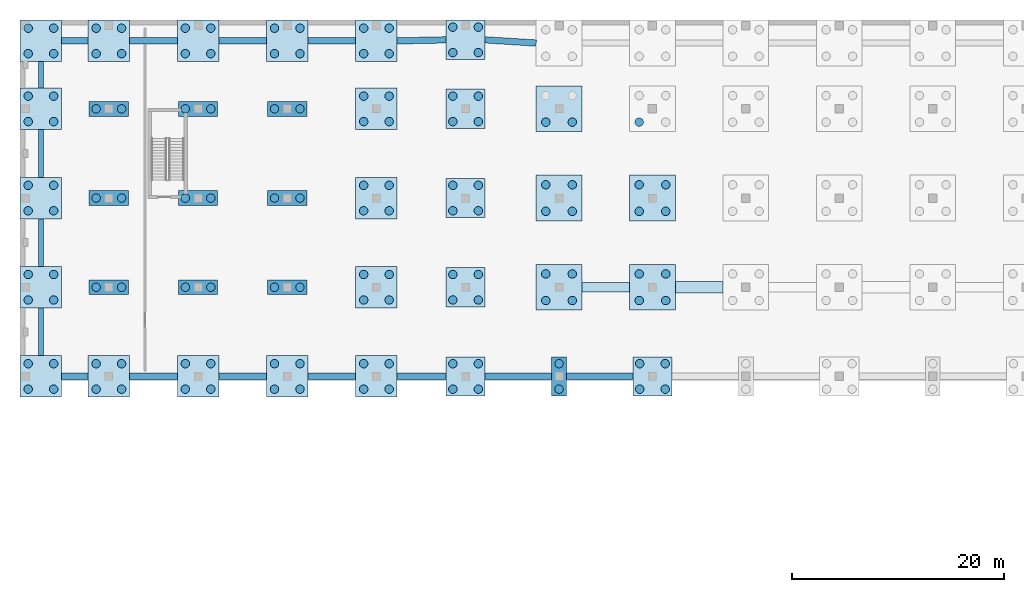
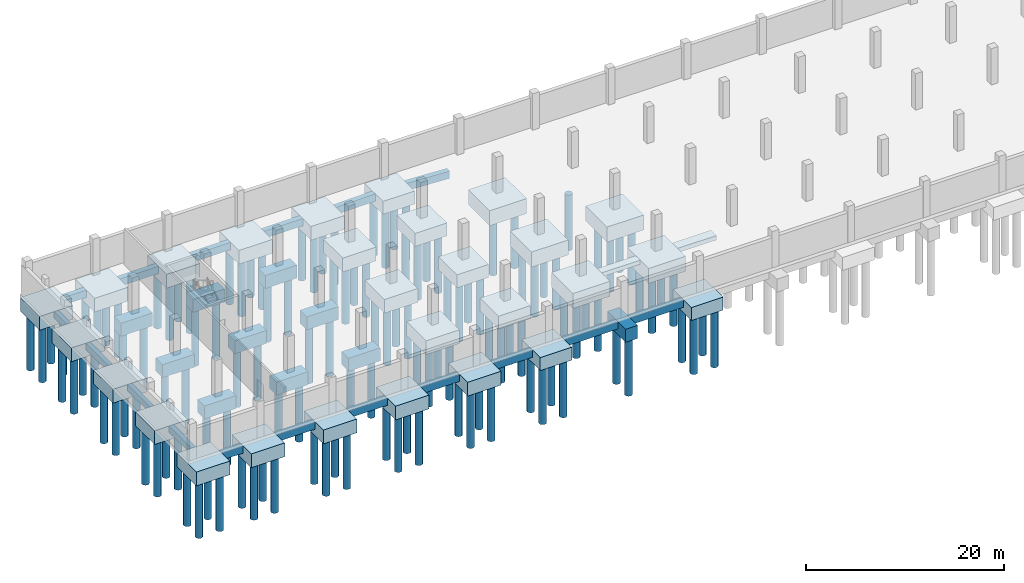
# One storey, part 1 of 18: 127 piles, 56 footings.
"""IFC4 building model written with IfcOpenShell, lengths in metres."""

from ifc_helpers import new_model, si_unit, direction, frame, origin, origin_2d, place, context, subcontext, project, spatial, rectangle, circle, extrude, material, material_profile, profile_set, type_object, element, save


model = new_model("IFC4")

# Units and contexts
model_context = context("Model", 3, precision=1e-05, world=origin(), true_north=direction((0.0, 1.0)))
body_context = subcontext(model_context, "Body", "Model", "MODEL_VIEW")
ifc_project = project(units=[si_unit("LENGTHUNIT", "METRE"), si_unit("AREAUNIT", "SQUARE_METRE"), si_unit("VOLUMEUNIT", "CUBIC_METRE"), si_unit("PLANEANGLEUNIT", "RADIAN"), si_unit("MASSUNIT", "GRAM", prefix="KILO")], contexts=[model_context])

# Site, building, storey
site_placement = place(None, origin())
site = spatial("IfcSite", under=ifc_project, at=site_placement, CompositionType="ELEMENT")
building_placement = place(site_placement, origin())
building = spatial("IfcBuilding", under=site, at=building_placement, Name="Brinegate Botanical Conservatory", CompositionType="ELEMENT")
storey_placement = place(building_placement, frame((0.0, 0.0, -9.60009765625)))
storey = spatial("IfcBuildingStorey", under=building, at=storey_placement, Name="B2", CompositionType="ELEMENT", Elevation=-9.60009765625)

# Footings
ifc_material = material(Name="Concrete C40/50", Category="concrete")
ifc_material_profile_1 = material_profile(ifc_material, rectangle(XDim=0.60009765625, YDim=0.89990234375, at=origin_2d()), Name="RC GB 600x900")
ifc_profile_set_1 = profile_set([ifc_material_profile_1], Name="Concrete C40/50")
footing_type_1 = type_object("IfcFootingType", Name="Footing_FB-01", PredefinedType="FOOTING_BEAM", material=ifc_profile_set_1)
footing_1_placement = place(storey_placement, frame((3.949951171875, 78.39990234375, -0.849853515625), z_axis=(1.0, 0.0, 0.0), x_axis=(0.0, 1.0, 0.0)))
element("IfcFooting", 1, at=footing_1_placement, inside=storey, type_object=footing_type_1, Name="Foundation tie beam K:1-2", PredefinedType="FOOTING_BEAM", context=body_context, shape_type="SweptSolid", body=[
    extrude(rectangle(XDim=0.60009765625, YDim=0.89990234375, at=origin_2d()), origin(), (0.0, 0.0, 1.0), 2.5),
])
for number, where, z_axis, x_axis, name in (
    (2, (10.35009765625, 78.39990234375, -0.849853515625), (1.0, 0.0, 0.0), (0.0, 1.0, 0.0), "Foundation tie beam K:2-3"),
    (3, (18.75, 78.39990234375, -0.849853515625), (1.0, 0.0, 0.0), (0.0, 1.0, 0.0), "Foundation tie beam K:3-4"),
    (4, (27.14990234375, 78.39990234375, -0.849853515625), (1.0, 0.0, 0.0), (0.0, 1.0, 0.0), "Foundation tie beam K:4-5"),
):
    element("IfcFooting", number, at=place(storey_placement, frame(where, z_axis=z_axis, x_axis=x_axis)), inside=storey, type_object=footing_type_1, Name=name, PredefinedType="FOOTING_BEAM", context=body_context, shape_type="SweptSolid", body=[
        extrude(rectangle(XDim=0.60009765625, YDim=0.89990234375, at=origin_2d()), origin(), (0.0, 0.0, 1.0), 4.5),
    ])
footing_2_placement = place(storey_placement, frame((35.550048828125, 78.39990234375, -0.849853515625), z_axis=(1.0, 0.0, 0.0), x_axis=(0.0, 1.0, 0.0)))
element("IfcFooting", 5, at=footing_2_placement, inside=storey, type_object=footing_type_1, Name="Foundation tie beam K:5-6", PredefinedType="FOOTING_BEAM", context=body_context, shape_type="SweptSolid", body=[
    extrude(rectangle(XDim=0.60009765625, YDim=0.89990234375, at=origin_2d()), origin(), (0.0, 0.0, 1.0), 4.599853515625),
])
for number, where, z_axis, x_axis, name in (
    (6, (43.85009765625, 78.39990234375, -0.849853515625), (1.0, 0.0, 0.0), (0.0, 1.0, 0.0), "Foundation tie beam K:6-7"),
    (7, (51.5, 78.39990234375, -0.849853515625), (1.0, 0.0, 0.0), (0.0, 1.0, 0.0), "Foundation tie beam K:7-8"),
):
    element("IfcFooting", number, at=place(storey_placement, frame(where, z_axis=z_axis, x_axis=x_axis)), inside=storey, type_object=footing_type_1, Name=name, PredefinedType="FOOTING_BEAM", context=body_context, shape_type="SweptSolid", body=[
        extrude(rectangle(XDim=0.60009765625, YDim=0.89990234375, at=origin_2d()), origin(), (0.0, 0.0, 1.0), 6.25),
    ])
footing_3_placement = place(storey_placement, frame((3.949951171875, 110.0, -0.849853515625), z_axis=(1.0, 0.0, 0.0), x_axis=(0.0, 1.0, 0.0)))
element("IfcFooting", 8, at=footing_3_placement, inside=storey, type_object=footing_type_1, Name="Foundation tie beam P:1-2", PredefinedType="FOOTING_BEAM", context=body_context, shape_type="SweptSolid", body=[
    extrude(rectangle(XDim=0.60009765625, YDim=0.89990234375, at=origin_2d()), origin(), (0.0, 0.0, 1.0), 2.5),
])
for number, where, z_axis, x_axis, name in (
    (9, (10.35009765625, 110.0, -0.849853515625), (1.0, 0.0, 0.0), (0.0, 1.0, 0.0), "Foundation tie beam P:2-3"),
    (10, (18.75, 110.0, -0.849853515625), (1.0, 0.0, 0.0), (0.0, 1.0, 0.0), "Foundation tie beam P:3-4"),
    (11, (27.14990234375, 110.0, -0.849853515625), (1.0, 0.0, 0.0), (0.0, 1.0, 0.0), "Foundation tie beam P:4-5"),
):
    element("IfcFooting", number, at=place(storey_placement, frame(where, z_axis=z_axis, x_axis=x_axis)), inside=storey, type_object=footing_type_1, Name=name, PredefinedType="FOOTING_BEAM", context=body_context, shape_type="SweptSolid", body=[
        extrude(rectangle(XDim=0.60009765625, YDim=0.89990234375, at=origin_2d()), origin(), (0.0, 0.0, 1.0), 4.5),
    ])
footing_4_placement = place(storey_placement, frame((35.550048828125, 110.0, -0.849853515625), z_axis=(0.999763312344, 0.02175590245, 0.0), x_axis=(-0.02175590245, 0.999763312344, 0.0)))
element("IfcFooting", 12, at=footing_4_placement, inside=storey, type_object=footing_type_1, Name="Foundation tie beam P:5-6", PredefinedType="FOOTING_BEAM", context=body_context, shape_type="SweptSolid", body=[
    extrude(rectangle(XDim=0.60009765625, YDim=0.89990234375, at=origin_2d()), origin(), (0.0, 0.0, 1.0), 4.600830078125),
])
footing_5_placement = place(storey_placement, frame((43.85009765625, 110.10009765625, -0.849853515625), z_axis=(0.998051788277, -0.062390928168, 0.0), x_axis=(0.062390928168, 0.998051788277, 0.0)))
element("IfcFooting", 13, at=footing_5_placement, inside=storey, type_object=footing_type_1, Name="Foundation tie beam P:6-7", PredefinedType="FOOTING_BEAM", context=body_context, shape_type="SweptSolid", body=[
    extrude(rectangle(XDim=0.60009765625, YDim=0.89990234375, at=origin_2d()), origin(), (0.0, 0.0, 1.0), 4.80908203125),
])
ifc_material_profile_2 = material_profile(ifc_material, rectangle(XDim=0.5, YDim=0.800048828125, at=origin_2d()), Name="RC GB 500x800")
ifc_profile_set_2 = profile_set([ifc_material_profile_2], Name="Concrete C40/50")
footing_type_2 = type_object("IfcFootingType", Name="Footing_FB-02", PredefinedType="FOOTING_BEAM", material=ifc_profile_set_2)
for number, where, z_axis, x_axis, name in (
    (14, (2.0, 80.35009765625, -0.7998046875), (0.0, 1.0, 0.0), (-1.0, 0.0, 0.0), "Foundation tie beam 1:K-L"),
    (15, (2.0, 88.75, -0.7998046875), (0.0, 1.0, 0.0), (-1.0, 0.0, 0.0), "Foundation tie beam 1:L-M"),
    (16, (2.0, 97.14990234375, -0.7998046875), (0.0, 1.0, 0.0), (-1.0, 0.0, 0.0), "Foundation tie beam 1:M-N"),
):
    element("IfcFooting", number, at=place(storey_placement, frame(where, z_axis=z_axis, x_axis=x_axis)), inside=storey, type_object=footing_type_2, Name=name, PredefinedType="FOOTING_BEAM", context=body_context, shape_type="SweptSolid", body=[
        extrude(rectangle(XDim=0.5, YDim=0.800048828125, at=origin_2d()), origin(), (0.0, 0.0, 1.0), 4.5),
    ])
footing_6_placement = place(storey_placement, frame((2.0, 105.550048828125, -0.7998046875), z_axis=(0.0, 1.0, 0.0), x_axis=(-1.0, 0.0, 0.0)))
element("IfcFooting", 17, at=footing_6_placement, inside=storey, type_object=footing_type_2, Name="Foundation tie beam 1:N-P", PredefinedType="FOOTING_BEAM", context=body_context, shape_type="SweptSolid", body=[
    extrude(rectangle(XDim=0.5, YDim=0.800048828125, at=origin_2d()), origin(), (0.0, 0.0, 1.0), 2.5),
])
footing_type_3 = type_object("IfcFootingType", Name="Footing_PC-01", PredefinedType="PILE_CAP", material=ifc_material)
for number, where, z_axis, x_axis, name in (
    (18, (8.39990234375, 86.800048828125, -2.0), (0.0, 0.0, 1.0), (1.0, 0.0, 0.0), "Pile cap PC-01 at L-2"),
    (19, (8.39990234375, 95.199951171875, -2.0), (0.0, 0.0, 1.0), (1.0, 0.0, 0.0), "Pile cap PC-01 at M-2"),
    (20, (8.39990234375, 103.60009765625, -2.0), (0.0, 0.0, 1.0), (1.0, 0.0, 0.0), "Pile cap PC-01 at N-2"),
    (21, (16.800048828125, 86.800048828125, -2.0), (0.0, 0.0, 1.0), (1.0, 0.0, 0.0), "Pile cap PC-01 at L-3"),
    (22, (16.800048828125, 95.199951171875, -2.0), (0.0, 0.0, 1.0), (1.0, 0.0, 0.0), "Pile cap PC-01 at M-3"),
    (23, (16.800048828125, 103.60009765625, -2.0), (0.0, 0.0, 1.0), (1.0, 0.0, 0.0), "Pile cap PC-01 at N-3"),
    (24, (25.199951171875, 86.800048828125, -2.0), (0.0, 0.0, 1.0), (1.0, 0.0, 0.0), "Pile cap PC-01 at L-4"),
    (25, (25.199951171875, 95.199951171875, -2.0), (0.0, 0.0, 1.0), (1.0, 0.0, 0.0), "Pile cap PC-01 at M-4"),
    (26, (25.199951171875, 103.60009765625, -2.0), (0.0, 0.0, 1.0), (1.0, 0.0, 0.0), "Pile cap PC-01 at N-4"),
):
    element("IfcFooting", number, at=place(storey_placement, frame(where, z_axis=z_axis, x_axis=x_axis)), inside=storey, type_object=footing_type_3, Name=name, PredefinedType="PILE_CAP", context=body_context, shape_type="SweptSolid", body=[
        extrude(rectangle(XDim=3.699951171875, YDim=1.39990234375, at=origin_2d()), origin(), (0.0, 0.0, 1.0), 1.60009765625),
    ])
footing_type_4 = type_object("IfcFootingType", Name="Footing_PC-02", PredefinedType="PILE_CAP", material=ifc_material)
footing_7_placement = place(storey_placement, frame((50.800048828125, 78.39990234375, -2.0), z_axis=(0.0, 0.0, 1.0), x_axis=(1.0, 0.0, 0.0)))
element("IfcFooting", 27, at=footing_7_placement, inside=storey, type_object=footing_type_4, Name="Pile cap PC-02 at K-7", PredefinedType="PILE_CAP", context=body_context, shape_type="SweptSolid", body=[
    extrude(rectangle(XDim=1.39990234375, YDim=3.699951171875, at=origin_2d()), origin(), (0.0, 0.0, 1.0), 1.60009765625),
])
footing_type_5 = type_object("IfcFootingType", Name="Footing_PC-03", PredefinedType="PILE_CAP", material=ifc_material)
for number, where, z_axis, x_axis, name in (
    (28, (42.0, 78.39990234375, -2.0), (0.0, 0.0, 1.0), (1.0, 0.0, 0.0), "Pile cap PC-03 at K-6"),
    (29, (42.0, 86.800048828125, -2.0), (0.0, 0.0, 1.0), (1.0, 0.0, 0.0), "Pile cap PC-03 at L-6"),
    (30, (42.0, 95.199951171875, -2.0), (0.0, 0.0, 1.0), (1.0, 0.0, 0.0), "Pile cap PC-03 at M-6"),
    (31, (42.0, 103.60009765625, -2.0), (0.0, 0.0, 1.0), (1.0, 0.0, 0.0), "Pile cap PC-03 at N-6"),
    (32, (42.0, 110.10009765625, -2.0), (0.0, 0.0, 1.0), (1.0, 0.0, 0.0), "Pile cap PC-03 at P-6"),
    (33, (59.60009765625, 78.39990234375, -2.0), (0.0, 0.0, 1.0), (1.0, 0.0, 0.0), "Pile cap PC-03 at K-8"),
):
    element("IfcFooting", number, at=place(storey_placement, frame(where, z_axis=z_axis, x_axis=x_axis)), inside=storey, type_object=footing_type_5, Name=name, PredefinedType="PILE_CAP", context=body_context, shape_type="SweptSolid", body=[
        extrude(rectangle(XDim=3.699951171875, YDim=3.699951171875, at=origin_2d()), origin(), (0.0, 0.0, 1.0), 1.60009765625),
    ])
footing_type_6 = type_object("IfcFootingType", Name="Footing_PC-04", PredefinedType="PILE_CAP", material=ifc_material)
for number, where, z_axis, x_axis, name in (
    (34, (2.0, 78.39990234375, -2.10009765625), (0.0, 0.0, 1.0), (1.0, 0.0, 0.0), "Pile cap PC-04 at K-1"),
    (35, (2.0, 86.800048828125, -2.10009765625), (0.0, 0.0, 1.0), (1.0, 0.0, 0.0), "Pile cap PC-04 at L-1"),
    (36, (2.0, 95.199951171875, -2.10009765625), (0.0, 0.0, 1.0), (1.0, 0.0, 0.0), "Pile cap PC-04 at M-1"),
    (37, (2.0, 103.60009765625, -2.10009765625), (0.0, 0.0, 1.0), (1.0, 0.0, 0.0), "Pile cap PC-04 at N-1"),
    (38, (2.0, 110.0, -2.10009765625), (0.0, 0.0, 1.0), (1.0, 0.0, 0.0), "Pile cap PC-04 at P-1"),
    (39, (8.39990234375, 78.39990234375, -2.10009765625), (0.0, 0.0, 1.0), (1.0, 0.0, 0.0), "Pile cap PC-04 at K-2"),
    (40, (8.39990234375, 110.0, -2.10009765625), (0.0, 0.0, 1.0), (1.0, 0.0, 0.0), "Pile cap PC-04 at P-2"),
    (41, (16.800048828125, 78.39990234375, -2.10009765625), (0.0, 0.0, 1.0), (1.0, 0.0, 0.0), "Pile cap PC-04 at K-3"),
    (42, (16.800048828125, 110.0, -2.10009765625), (0.0, 0.0, 1.0), (1.0, 0.0, 0.0), "Pile cap PC-04 at P-3"),
    (43, (25.199951171875, 78.39990234375, -2.10009765625), (0.0, 0.0, 1.0), (1.0, 0.0, 0.0), "Pile cap PC-04 at K-4"),
    (44, (25.199951171875, 110.0, -2.10009765625), (0.0, 0.0, 1.0), (1.0, 0.0, 0.0), "Pile cap PC-04 at P-4"),
    (45, (33.60009765625, 78.39990234375, -2.10009765625), (0.0, 0.0, 1.0), (1.0, 0.0, 0.0), "Pile cap PC-04 at K-5"),
    (46, (33.60009765625, 86.800048828125, -2.10009765625), (0.0, 0.0, 1.0), (1.0, 0.0, 0.0), "Pile cap PC-04 at L-5"),
    (47, (33.60009765625, 95.199951171875, -2.10009765625), (0.0, 0.0, 1.0), (1.0, 0.0, 0.0), "Pile cap PC-04 at M-5"),
    (48, (33.60009765625, 103.60009765625, -2.10009765625), (0.0, 0.0, 1.0), (1.0, 0.0, 0.0), "Pile cap PC-04 at N-5"),
    (49, (33.60009765625, 110.0, -2.10009765625), (0.0, 0.0, 1.0), (1.0, 0.0, 0.0), "Pile cap PC-04 at P-5"),
):
    element("IfcFooting", number, at=place(storey_placement, frame(where, z_axis=z_axis, x_axis=x_axis)), inside=storey, type_object=footing_type_6, Name=name, PredefinedType="PILE_CAP", context=body_context, shape_type="SweptSolid", body=[
        extrude(rectangle(XDim=3.89990234375, YDim=3.89990234375, at=origin_2d()), origin(), (0.0, 0.0, 1.0), 1.699951171875),
    ])
footing_type_7 = type_object("IfcFootingType", Name="Footing_PC-06", PredefinedType="PILE_CAP", material=ifc_material)
for number, where, z_axis, x_axis, name in (
    (50, (50.800048828125, 86.800048828125, -2.25), (0.0, 0.0, 1.0), (1.0, 0.0, 0.0), "Pile cap PC-06 at L-7"),
    (51, (50.800048828125, 95.199951171875, -2.25), (0.0, 0.0, 1.0), (1.0, 0.0, 0.0), "Pile cap PC-06 at M-7"),
    (52, (50.800048828125, 103.60009765625, -2.25), (0.0, 0.0, 1.0), (1.0, 0.0, 0.0), "Pile cap PC-06 at N-7"),
    (53, (59.60009765625, 86.800048828125, -2.25), (0.0, 0.0, 1.0), (1.0, 0.0, 0.0), "Pile cap PC-06 at L-8"),
    (54, (59.60009765625, 95.199951171875, -2.25), (0.0, 0.0, 1.0), (1.0, 0.0, 0.0), "Pile cap PC-06 at M-8"),
):
    element("IfcFooting", number, at=place(storey_placement, frame(where, z_axis=z_axis, x_axis=x_axis)), inside=storey, type_object=footing_type_7, Name=name, PredefinedType="PILE_CAP", context=body_context, shape_type="SweptSolid", body=[
        extrude(rectangle(XDim=4.300048828125, YDim=4.300048828125, at=origin_2d()), origin(), (0.0, 0.0, 1.0), 1.85009765625),
    ])
ifc_material_profile_3 = material_profile(ifc_material, rectangle(XDim=0.89990234375, YDim=0.5, at=origin_2d()), Name="RC SF 900x500")
ifc_profile_set_3 = profile_set([ifc_material_profile_3], Name="Concrete C40/50")
footing_type_8 = type_object("IfcFootingType", Name="Footing_SF-01", PredefinedType="STRIP_FOOTING", material=ifc_profile_set_3)
footing_8_placement = place(storey_placement, frame((52.949951171875, 86.800048828125, -0.64990234375), z_axis=(1.0, 0.0, 0.0), x_axis=(0.0, 1.0, 0.0)))
element("IfcFooting", 55, at=footing_8_placement, inside=storey, type_object=footing_type_8, Name="Courtyard plinth strip footing 7-8", PredefinedType="STRIP_FOOTING", context=body_context, shape_type="SweptSolid", body=[
    extrude(rectangle(XDim=0.89990234375, YDim=0.5, at=origin_2d()), origin(), (0.0, 0.0, 1.0), 4.5),
])
ifc_material_profile_4 = material_profile(ifc_material, rectangle(XDim=1.10009765625, YDim=0.550048828125, at=origin_2d()), Name="RC SF 1100x550")
ifc_profile_set_4 = profile_set([ifc_material_profile_4], Name="Concrete C40/50")
footing_type_9 = type_object("IfcFootingType", Name="Footing_SF-02", PredefinedType="STRIP_FOOTING", material=ifc_profile_set_4)
footing_9_placement = place(storey_placement, frame((61.75, 86.800048828125, -0.6748046875), z_axis=(1.0, 0.0, 0.0), x_axis=(0.0, 1.0, 0.0)))
element("IfcFooting", 56, at=footing_9_placement, inside=storey, type_object=footing_type_9, Name="Courtyard plinth strip footing 8-9", PredefinedType="STRIP_FOOTING", context=body_context, shape_type="SweptSolid", body=[
    extrude(rectangle(XDim=1.10009765625, YDim=0.550048828125, at=origin_2d()), origin(), (0.0, 0.0, 1.0), 4.5),
])

# Piles
ifc_material_profile_5 = material_profile(ifc_material, circle(Radius=0.39990234375, at=origin_2d()), Name="PILE D800")
ifc_profile_set_5 = profile_set([ifc_material_profile_5], Name="Concrete C40/50")
pile_type = type_object("IfcPileType", Name="Pile_PL-800", PredefinedType="BORED", material=ifc_profile_set_5)
for number, where, z_axis, x_axis, name in (
    (57, (0.800048828125, 77.199951171875, -2.0), (0.0, 0.0, -1.0), (1.0, 0.0, 0.0), "Bored pile K-1.1"),
    (58, (3.199951171875, 77.199951171875, -2.0), (0.0, 0.0, -1.0), (1.0, 0.0, 0.0), "Bored pile K-1.2"),
    (59, (0.800048828125, 79.60009765625, -2.0), (0.0, 0.0, -1.0), (1.0, 0.0, 0.0), "Bored pile K-1.3"),
    (60, (3.199951171875, 79.60009765625, -2.0), (0.0, 0.0, -1.0), (1.0, 0.0, 0.0), "Bored pile K-1.4"),
    (61, (0.800048828125, 85.60009765625, -2.0), (0.0, 0.0, -1.0), (1.0, 0.0, 0.0), "Bored pile L-1.1"),
    (62, (3.199951171875, 85.60009765625, -2.0), (0.0, 0.0, -1.0), (1.0, 0.0, 0.0), "Bored pile L-1.2"),
    (63, (0.800048828125, 88.0, -2.0), (0.0, 0.0, -1.0), (1.0, 0.0, 0.0), "Bored pile L-1.3"),
    (64, (3.199951171875, 88.0, -2.0), (0.0, 0.0, -1.0), (1.0, 0.0, 0.0), "Bored pile L-1.4"),
    (65, (0.800048828125, 94.0, -2.0), (0.0, 0.0, -1.0), (1.0, 0.0, 0.0), "Bored pile M-1.1"),
    (66, (3.199951171875, 94.0, -2.0), (0.0, 0.0, -1.0), (1.0, 0.0, 0.0), "Bored pile M-1.2"),
    (67, (0.800048828125, 96.39990234375, -2.0), (0.0, 0.0, -1.0), (1.0, 0.0, 0.0), "Bored pile M-1.3"),
    (68, (3.199951171875, 96.39990234375, -2.0), (0.0, 0.0, -1.0), (1.0, 0.0, 0.0), "Bored pile M-1.4"),
    (69, (0.800048828125, 102.39990234375, -2.0), (0.0, 0.0, -1.0), (1.0, 0.0, 0.0), "Bored pile N-1.1"),
    (70, (3.199951171875, 102.39990234375, -2.0), (0.0, 0.0, -1.0), (1.0, 0.0, 0.0), "Bored pile N-1.2"),
    (71, (0.800048828125, 104.800048828125, -2.0), (0.0, 0.0, -1.0), (1.0, 0.0, 0.0), "Bored pile N-1.3"),
    (72, (3.199951171875, 104.800048828125, -2.0), (0.0, 0.0, -1.0), (1.0, 0.0, 0.0), "Bored pile N-1.4"),
    (73, (0.800048828125, 108.800048828125, -2.0), (0.0, 0.0, -1.0), (1.0, 0.0, 0.0), "Bored pile P-1.1"),
    (74, (3.199951171875, 108.800048828125, -2.0), (0.0, 0.0, -1.0), (1.0, 0.0, 0.0), "Bored pile P-1.2"),
    (75, (0.800048828125, 111.199951171875, -2.0), (0.0, 0.0, -1.0), (1.0, 0.0, 0.0), "Bored pile P-1.3"),
    (76, (3.199951171875, 111.199951171875, -2.0), (0.0, 0.0, -1.0), (1.0, 0.0, 0.0), "Bored pile P-1.4"),
    (77, (7.199951171875, 77.199951171875, -2.0), (0.0, 0.0, -1.0), (1.0, 0.0, 0.0), "Bored pile K-2.1"),
    (78, (9.60009765625, 77.199951171875, -2.0), (0.0, 0.0, -1.0), (1.0, 0.0, 0.0), "Bored pile K-2.2"),
    (79, (7.199951171875, 79.60009765625, -2.0), (0.0, 0.0, -1.0), (1.0, 0.0, 0.0), "Bored pile K-2.3"),
    (80, (9.60009765625, 79.60009765625, -2.0), (0.0, 0.0, -1.0), (1.0, 0.0, 0.0), "Bored pile K-2.4"),
):
    element("IfcPile", number, at=place(storey_placement, frame(where, z_axis=z_axis, x_axis=x_axis)), inside=storey, type_object=pile_type, Name=name, PredefinedType="BORED", context=body_context, shape_type="SweptSolid", body=[
        extrude(circle(Radius=0.39990234375, at=origin_2d()), origin(), (0.0, 0.0, 1.0), 7.0),
    ])
for number, where, z_axis, x_axis, name in (
    (81, (7.199951171875, 86.800048828125, -1.89990234375), (0.0, 0.0, -1.0), (1.0, 0.0, 0.0), "Bored pile L-2.1"),
    (82, (9.60009765625, 86.800048828125, -1.89990234375), (0.0, 0.0, -1.0), (1.0, 0.0, 0.0), "Bored pile L-2.2"),
    (83, (7.199951171875, 95.199951171875, -1.89990234375), (0.0, 0.0, -1.0), (1.0, 0.0, 0.0), "Bored pile M-2.1"),
    (84, (9.60009765625, 95.199951171875, -1.89990234375), (0.0, 0.0, -1.0), (1.0, 0.0, 0.0), "Bored pile M-2.2"),
    (85, (7.199951171875, 103.60009765625, -1.89990234375), (0.0, 0.0, -1.0), (1.0, 0.0, 0.0), "Bored pile N-2.1"),
    (86, (9.60009765625, 103.60009765625, -1.89990234375), (0.0, 0.0, -1.0), (1.0, 0.0, 0.0), "Bored pile N-2.2"),
):
    element("IfcPile", number, at=place(storey_placement, frame(where, z_axis=z_axis, x_axis=x_axis)), inside=storey, type_object=pile_type, Name=name, PredefinedType="BORED", context=body_context, shape_type="SweptSolid", body=[
        extrude(circle(Radius=0.39990234375, at=origin_2d()), origin(), (0.0, 0.0, 1.0), 7.10009765625),
    ])
for number, where, z_axis, x_axis, name in (
    (87, (7.199951171875, 108.800048828125, -2.0), (0.0, 0.0, -1.0), (1.0, 0.0, 0.0), "Bored pile P-2.1"),
    (88, (9.60009765625, 108.800048828125, -2.0), (0.0, 0.0, -1.0), (1.0, 0.0, 0.0), "Bored pile P-2.2"),
    (89, (7.199951171875, 111.199951171875, -2.0), (0.0, 0.0, -1.0), (1.0, 0.0, 0.0), "Bored pile P-2.3"),
    (90, (9.60009765625, 111.199951171875, -2.0), (0.0, 0.0, -1.0), (1.0, 0.0, 0.0), "Bored pile P-2.4"),
    (91, (15.60009765625, 77.199951171875, -2.0), (0.0, 0.0, -1.0), (1.0, 0.0, 0.0), "Bored pile K-3.1"),
    (92, (18.0, 77.199951171875, -2.0), (0.0, 0.0, -1.0), (1.0, 0.0, 0.0), "Bored pile K-3.2"),
    (93, (15.60009765625, 79.60009765625, -2.0), (0.0, 0.0, -1.0), (1.0, 0.0, 0.0), "Bored pile K-3.3"),
    (94, (18.0, 79.60009765625, -2.0), (0.0, 0.0, -1.0), (1.0, 0.0, 0.0), "Bored pile K-3.4"),
):
    element("IfcPile", number, at=place(storey_placement, frame(where, z_axis=z_axis, x_axis=x_axis)), inside=storey, type_object=pile_type, Name=name, PredefinedType="BORED", context=body_context, shape_type="SweptSolid", body=[
        extrude(circle(Radius=0.39990234375, at=origin_2d()), origin(), (0.0, 0.0, 1.0), 7.0),
    ])
for number, where, z_axis, x_axis, name in (
    (95, (15.60009765625, 86.800048828125, -1.89990234375), (0.0, 0.0, -1.0), (1.0, 0.0, 0.0), "Bored pile L-3.1"),
    (96, (18.0, 86.800048828125, -1.89990234375), (0.0, 0.0, -1.0), (1.0, 0.0, 0.0), "Bored pile L-3.2"),
    (97, (15.60009765625, 95.199951171875, -1.89990234375), (0.0, 0.0, -1.0), (1.0, 0.0, 0.0), "Bored pile M-3.1"),
    (98, (18.0, 95.199951171875, -1.89990234375), (0.0, 0.0, -1.0), (1.0, 0.0, 0.0), "Bored pile M-3.2"),
    (99, (15.60009765625, 103.60009765625, -1.89990234375), (0.0, 0.0, -1.0), (1.0, 0.0, 0.0), "Bored pile N-3.1"),
    (100, (18.0, 103.60009765625, -1.89990234375), (0.0, 0.0, -1.0), (1.0, 0.0, 0.0), "Bored pile N-3.2"),
):
    element("IfcPile", number, at=place(storey_placement, frame(where, z_axis=z_axis, x_axis=x_axis)), inside=storey, type_object=pile_type, Name=name, PredefinedType="BORED", context=body_context, shape_type="SweptSolid", body=[
        extrude(circle(Radius=0.39990234375, at=origin_2d()), origin(), (0.0, 0.0, 1.0), 7.10009765625),
    ])
for number, where, z_axis, x_axis, name in (
    (101, (15.60009765625, 108.800048828125, -2.0), (0.0, 0.0, -1.0), (1.0, 0.0, 0.0), "Bored pile P-3.1"),
    (102, (18.0, 108.800048828125, -2.0), (0.0, 0.0, -1.0), (1.0, 0.0, 0.0), "Bored pile P-3.2"),
    (103, (15.60009765625, 111.199951171875, -2.0), (0.0, 0.0, -1.0), (1.0, 0.0, 0.0), "Bored pile P-3.3"),
    (104, (18.0, 111.199951171875, -2.0), (0.0, 0.0, -1.0), (1.0, 0.0, 0.0), "Bored pile P-3.4"),
    (105, (24.0, 77.199951171875, -2.0), (0.0, 0.0, -1.0), (1.0, 0.0, 0.0), "Bored pile K-4.1"),
    (106, (26.39990234375, 77.199951171875, -2.0), (0.0, 0.0, -1.0), (1.0, 0.0, 0.0), "Bored pile K-4.2"),
    (107, (24.0, 79.60009765625, -2.0), (0.0, 0.0, -1.0), (1.0, 0.0, 0.0), "Bored pile K-4.3"),
    (108, (26.39990234375, 79.60009765625, -2.0), (0.0, 0.0, -1.0), (1.0, 0.0, 0.0), "Bored pile K-4.4"),
):
    element("IfcPile", number, at=place(storey_placement, frame(where, z_axis=z_axis, x_axis=x_axis)), inside=storey, type_object=pile_type, Name=name, PredefinedType="BORED", context=body_context, shape_type="SweptSolid", body=[
        extrude(circle(Radius=0.39990234375, at=origin_2d()), origin(), (0.0, 0.0, 1.0), 7.0),
    ])
for number, where, z_axis, x_axis, name in (
    (109, (24.0, 86.800048828125, -1.89990234375), (0.0, 0.0, -1.0), (1.0, 0.0, 0.0), "Bored pile L-4.1"),
    (110, (26.39990234375, 86.800048828125, -1.89990234375), (0.0, 0.0, -1.0), (1.0, 0.0, 0.0), "Bored pile L-4.2"),
    (111, (24.0, 95.199951171875, -1.89990234375), (0.0, 0.0, -1.0), (1.0, 0.0, 0.0), "Bored pile M-4.1"),
    (112, (26.39990234375, 95.199951171875, -1.89990234375), (0.0, 0.0, -1.0), (1.0, 0.0, 0.0), "Bored pile M-4.2"),
    (113, (24.0, 103.60009765625, -1.89990234375), (0.0, 0.0, -1.0), (1.0, 0.0, 0.0), "Bored pile N-4.1"),
    (114, (26.39990234375, 103.60009765625, -1.89990234375), (0.0, 0.0, -1.0), (1.0, 0.0, 0.0), "Bored pile N-4.2"),
):
    element("IfcPile", number, at=place(storey_placement, frame(where, z_axis=z_axis, x_axis=x_axis)), inside=storey, type_object=pile_type, Name=name, PredefinedType="BORED", context=body_context, shape_type="SweptSolid", body=[
        extrude(circle(Radius=0.39990234375, at=origin_2d()), origin(), (0.0, 0.0, 1.0), 7.10009765625),
    ])
for number, where, z_axis, x_axis, name in (
    (115, (24.0, 108.800048828125, -2.0), (0.0, 0.0, -1.0), (1.0, 0.0, 0.0), "Bored pile P-4.1"),
    (116, (26.39990234375, 108.800048828125, -2.0), (0.0, 0.0, -1.0), (1.0, 0.0, 0.0), "Bored pile P-4.2"),
    (117, (24.0, 111.199951171875, -2.0), (0.0, 0.0, -1.0), (1.0, 0.0, 0.0), "Bored pile P-4.3"),
    (118, (26.39990234375, 111.199951171875, -2.0), (0.0, 0.0, -1.0), (1.0, 0.0, 0.0), "Bored pile P-4.4"),
    (119, (32.39990234375, 77.199951171875, -2.0), (0.0, 0.0, -1.0), (1.0, 0.0, 0.0), "Bored pile K-5.1"),
    (120, (34.800048828125, 77.199951171875, -2.0), (0.0, 0.0, -1.0), (1.0, 0.0, 0.0), "Bored pile K-5.2"),
    (121, (32.39990234375, 79.60009765625, -2.0), (0.0, 0.0, -1.0), (1.0, 0.0, 0.0), "Bored pile K-5.3"),
    (122, (34.800048828125, 79.60009765625, -2.0), (0.0, 0.0, -1.0), (1.0, 0.0, 0.0), "Bored pile K-5.4"),
    (123, (32.39990234375, 85.60009765625, -2.0), (0.0, 0.0, -1.0), (1.0, 0.0, 0.0), "Bored pile L-5.1"),
    (124, (34.800048828125, 85.60009765625, -2.0), (0.0, 0.0, -1.0), (1.0, 0.0, 0.0), "Bored pile L-5.2"),
    (125, (32.39990234375, 88.0, -2.0), (0.0, 0.0, -1.0), (1.0, 0.0, 0.0), "Bored pile L-5.3"),
    (126, (34.800048828125, 88.0, -2.0), (0.0, 0.0, -1.0), (1.0, 0.0, 0.0), "Bored pile L-5.4"),
    (127, (32.39990234375, 94.0, -2.0), (0.0, 0.0, -1.0), (1.0, 0.0, 0.0), "Bored pile M-5.1"),
    (128, (34.800048828125, 94.0, -2.0), (0.0, 0.0, -1.0), (1.0, 0.0, 0.0), "Bored pile M-5.2"),
    (129, (32.39990234375, 96.39990234375, -2.0), (0.0, 0.0, -1.0), (1.0, 0.0, 0.0), "Bored pile M-5.3"),
    (130, (34.800048828125, 96.39990234375, -2.0), (0.0, 0.0, -1.0), (1.0, 0.0, 0.0), "Bored pile M-5.4"),
    (131, (32.39990234375, 102.39990234375, -2.0), (0.0, 0.0, -1.0), (1.0, 0.0, 0.0), "Bored pile N-5.1"),
    (132, (34.800048828125, 102.39990234375, -2.0), (0.0, 0.0, -1.0), (1.0, 0.0, 0.0), "Bored pile N-5.2"),
    (133, (32.39990234375, 104.800048828125, -2.0), (0.0, 0.0, -1.0), (1.0, 0.0, 0.0), "Bored pile N-5.3"),
    (134, (34.800048828125, 104.800048828125, -2.0), (0.0, 0.0, -1.0), (1.0, 0.0, 0.0), "Bored pile N-5.4"),
    (135, (32.39990234375, 108.800048828125, -2.0), (0.0, 0.0, -1.0), (1.0, 0.0, 0.0), "Bored pile P-5.1"),
    (136, (34.800048828125, 108.800048828125, -2.0), (0.0, 0.0, -1.0), (1.0, 0.0, 0.0), "Bored pile P-5.2"),
    (137, (32.39990234375, 111.199951171875, -2.0), (0.0, 0.0, -1.0), (1.0, 0.0, 0.0), "Bored pile P-5.3"),
    (138, (34.800048828125, 111.199951171875, -2.0), (0.0, 0.0, -1.0), (1.0, 0.0, 0.0), "Bored pile P-5.4"),
):
    element("IfcPile", number, at=place(storey_placement, frame(where, z_axis=z_axis, x_axis=x_axis)), inside=storey, type_object=pile_type, Name=name, PredefinedType="BORED", context=body_context, shape_type="SweptSolid", body=[
        extrude(circle(Radius=0.39990234375, at=origin_2d()), origin(), (0.0, 0.0, 1.0), 7.0),
    ])
for number, where, z_axis, x_axis, name in (
    (139, (40.800048828125, 77.199951171875, -1.89990234375), (0.0, 0.0, -1.0), (1.0, 0.0, 0.0), "Bored pile K-6.1"),
    (140, (43.199951171875, 77.199951171875, -1.89990234375), (0.0, 0.0, -1.0), (1.0, 0.0, 0.0), "Bored pile K-6.2"),
    (141, (40.800048828125, 79.60009765625, -1.89990234375), (0.0, 0.0, -1.0), (1.0, 0.0, 0.0), "Bored pile K-6.3"),
    (142, (43.199951171875, 79.60009765625, -1.89990234375), (0.0, 0.0, -1.0), (1.0, 0.0, 0.0), "Bored pile K-6.4"),
    (143, (40.800048828125, 85.60009765625, -1.89990234375), (0.0, 0.0, -1.0), (1.0, 0.0, 0.0), "Bored pile L-6.1"),
    (144, (43.199951171875, 85.60009765625, -1.89990234375), (0.0, 0.0, -1.0), (1.0, 0.0, 0.0), "Bored pile L-6.2"),
    (145, (40.800048828125, 88.0, -1.89990234375), (0.0, 0.0, -1.0), (1.0, 0.0, 0.0), "Bored pile L-6.3"),
    (146, (43.199951171875, 88.0, -1.89990234375), (0.0, 0.0, -1.0), (1.0, 0.0, 0.0), "Bored pile L-6.4"),
    (147, (40.800048828125, 94.0, -1.89990234375), (0.0, 0.0, -1.0), (1.0, 0.0, 0.0), "Bored pile M-6.1"),
    (148, (43.199951171875, 94.0, -1.89990234375), (0.0, 0.0, -1.0), (1.0, 0.0, 0.0), "Bored pile M-6.2"),
    (149, (40.800048828125, 96.39990234375, -1.89990234375), (0.0, 0.0, -1.0), (1.0, 0.0, 0.0), "Bored pile M-6.3"),
    (150, (43.199951171875, 96.39990234375, -1.89990234375), (0.0, 0.0, -1.0), (1.0, 0.0, 0.0), "Bored pile M-6.4"),
    (151, (40.800048828125, 102.39990234375, -1.89990234375), (0.0, 0.0, -1.0), (1.0, 0.0, 0.0), "Bored pile N-6.1"),
    (152, (43.199951171875, 102.39990234375, -1.89990234375), (0.0, 0.0, -1.0), (1.0, 0.0, 0.0), "Bored pile N-6.2"),
    (153, (40.800048828125, 104.800048828125, -1.89990234375), (0.0, 0.0, -1.0), (1.0, 0.0, 0.0), "Bored pile N-6.3"),
    (154, (43.199951171875, 104.800048828125, -1.89990234375), (0.0, 0.0, -1.0), (1.0, 0.0, 0.0), "Bored pile N-6.4"),
    (155, (40.800048828125, 108.89990234375, -1.89990234375), (0.0, 0.0, -1.0), (1.0, 0.0, 0.0), "Bored pile P-6.1"),
    (156, (43.199951171875, 108.89990234375, -1.89990234375), (0.0, 0.0, -1.0), (1.0, 0.0, 0.0), "Bored pile P-6.2"),
    (157, (40.800048828125, 111.300048828125, -1.89990234375), (0.0, 0.0, -1.0), (1.0, 0.0, 0.0), "Bored pile P-6.3"),
    (158, (43.199951171875, 111.300048828125, -1.89990234375), (0.0, 0.0, -1.0), (1.0, 0.0, 0.0), "Bored pile P-6.4"),
    (159, (50.800048828125, 77.199951171875, -1.89990234375), (0.0, 0.0, -1.0), (1.0, 0.0, 0.0), "Bored pile K-7.1"),
    (160, (50.800048828125, 79.60009765625, -1.89990234375), (0.0, 0.0, -1.0), (1.0, 0.0, 0.0), "Bored pile K-7.2"),
):
    element("IfcPile", number, at=place(storey_placement, frame(where, z_axis=z_axis, x_axis=x_axis)), inside=storey, type_object=pile_type, Name=name, PredefinedType="BORED", context=body_context, shape_type="SweptSolid", body=[
        extrude(circle(Radius=0.39990234375, at=origin_2d()), origin(), (0.0, 0.0, 1.0), 7.10009765625),
    ])
for number, where, z_axis, x_axis, name in (
    (161, (49.550048828125, 85.550048828125, -2.14990234375), (0.0, 0.0, -1.0), (1.0, 0.0, 0.0), "Bored pile L-7.1"),
    (162, (52.050048828125, 85.550048828125, -2.14990234375), (0.0, 0.0, -1.0), (1.0, 0.0, 0.0), "Bored pile L-7.2"),
    (163, (49.550048828125, 88.050048828125, -2.14990234375), (0.0, 0.0, -1.0), (1.0, 0.0, 0.0), "Bored pile L-7.3"),
    (164, (52.050048828125, 88.050048828125, -2.14990234375), (0.0, 0.0, -1.0), (1.0, 0.0, 0.0), "Bored pile L-7.4"),
    (165, (49.550048828125, 93.949951171875, -2.14990234375), (0.0, 0.0, -1.0), (1.0, 0.0, 0.0), "Bored pile M-7.1"),
    (166, (52.050048828125, 93.949951171875, -2.14990234375), (0.0, 0.0, -1.0), (1.0, 0.0, 0.0), "Bored pile M-7.2"),
    (167, (49.550048828125, 96.449951171875, -2.14990234375), (0.0, 0.0, -1.0), (1.0, 0.0, 0.0), "Bored pile M-7.3"),
    (168, (52.050048828125, 96.449951171875, -2.14990234375), (0.0, 0.0, -1.0), (1.0, 0.0, 0.0), "Bored pile M-7.4"),
    (169, (49.550048828125, 102.35009765625, -2.14990234375), (0.0, 0.0, -1.0), (1.0, 0.0, 0.0), "Bored pile N-7.1"),
    (170, (52.050048828125, 102.35009765625, -2.14990234375), (0.0, 0.0, -1.0), (1.0, 0.0, 0.0), "Bored pile N-7.2"),
):
    element("IfcPile", number, at=place(storey_placement, frame(where, z_axis=z_axis, x_axis=x_axis)), inside=storey, type_object=pile_type, Name=name, PredefinedType="BORED", context=body_context, shape_type="SweptSolid", body=[
        extrude(circle(Radius=0.39990234375, at=origin_2d()), origin(), (0.0, 0.0, 1.0), 6.85009765625),
    ])
for number, where, z_axis, x_axis, name in (
    (171, (58.39990234375, 77.199951171875, -1.89990234375), (0.0, 0.0, -1.0), (1.0, 0.0, 0.0), "Bored pile K-8.1"),
    (172, (60.800048828125, 77.199951171875, -1.89990234375), (0.0, 0.0, -1.0), (1.0, 0.0, 0.0), "Bored pile K-8.2"),
    (173, (58.39990234375, 79.60009765625, -1.89990234375), (0.0, 0.0, -1.0), (1.0, 0.0, 0.0), "Bored pile K-8.3"),
    (174, (60.800048828125, 79.60009765625, -1.89990234375), (0.0, 0.0, -1.0), (1.0, 0.0, 0.0), "Bored pile K-8.4"),
):
    element("IfcPile", number, at=place(storey_placement, frame(where, z_axis=z_axis, x_axis=x_axis)), inside=storey, type_object=pile_type, Name=name, PredefinedType="BORED", context=body_context, shape_type="SweptSolid", body=[
        extrude(circle(Radius=0.39990234375, at=origin_2d()), origin(), (0.0, 0.0, 1.0), 7.10009765625),
    ])
for number, where, z_axis, x_axis, name in (
    (175, (58.35009765625, 85.550048828125, -2.14990234375), (0.0, 0.0, -1.0), (1.0, 0.0, 0.0), "Bored pile L-8.1"),
    (176, (60.85009765625, 85.550048828125, -2.14990234375), (0.0, 0.0, -1.0), (1.0, 0.0, 0.0), "Bored pile L-8.2"),
    (177, (58.35009765625, 88.050048828125, -2.14990234375), (0.0, 0.0, -1.0), (1.0, 0.0, 0.0), "Bored pile L-8.3"),
    (178, (60.85009765625, 88.050048828125, -2.14990234375), (0.0, 0.0, -1.0), (1.0, 0.0, 0.0), "Bored pile L-8.4"),
    (179, (58.35009765625, 93.949951171875, -2.14990234375), (0.0, 0.0, -1.0), (1.0, 0.0, 0.0), "Bored pile M-8.1"),
    (180, (60.85009765625, 93.949951171875, -2.14990234375), (0.0, 0.0, -1.0), (1.0, 0.0, 0.0), "Bored pile M-8.2"),
    (181, (58.35009765625, 96.449951171875, -2.14990234375), (0.0, 0.0, -1.0), (1.0, 0.0, 0.0), "Bored pile M-8.3"),
    (182, (60.85009765625, 96.449951171875, -2.14990234375), (0.0, 0.0, -1.0), (1.0, 0.0, 0.0), "Bored pile M-8.4"),
    (183, (58.35009765625, 102.35009765625, -2.14990234375), (0.0, 0.0, -1.0), (1.0, 0.0, 0.0), "Bored pile N-8.1"),
):
    element("IfcPile", number, at=place(storey_placement, frame(where, z_axis=z_axis, x_axis=x_axis)), inside=storey, type_object=pile_type, Name=name, PredefinedType="BORED", context=body_context, shape_type="SweptSolid", body=[
        extrude(circle(Radius=0.39990234375, at=origin_2d()), origin(), (0.0, 0.0, 1.0), 6.85009765625),
    ])

save(model, "model.ifc")
